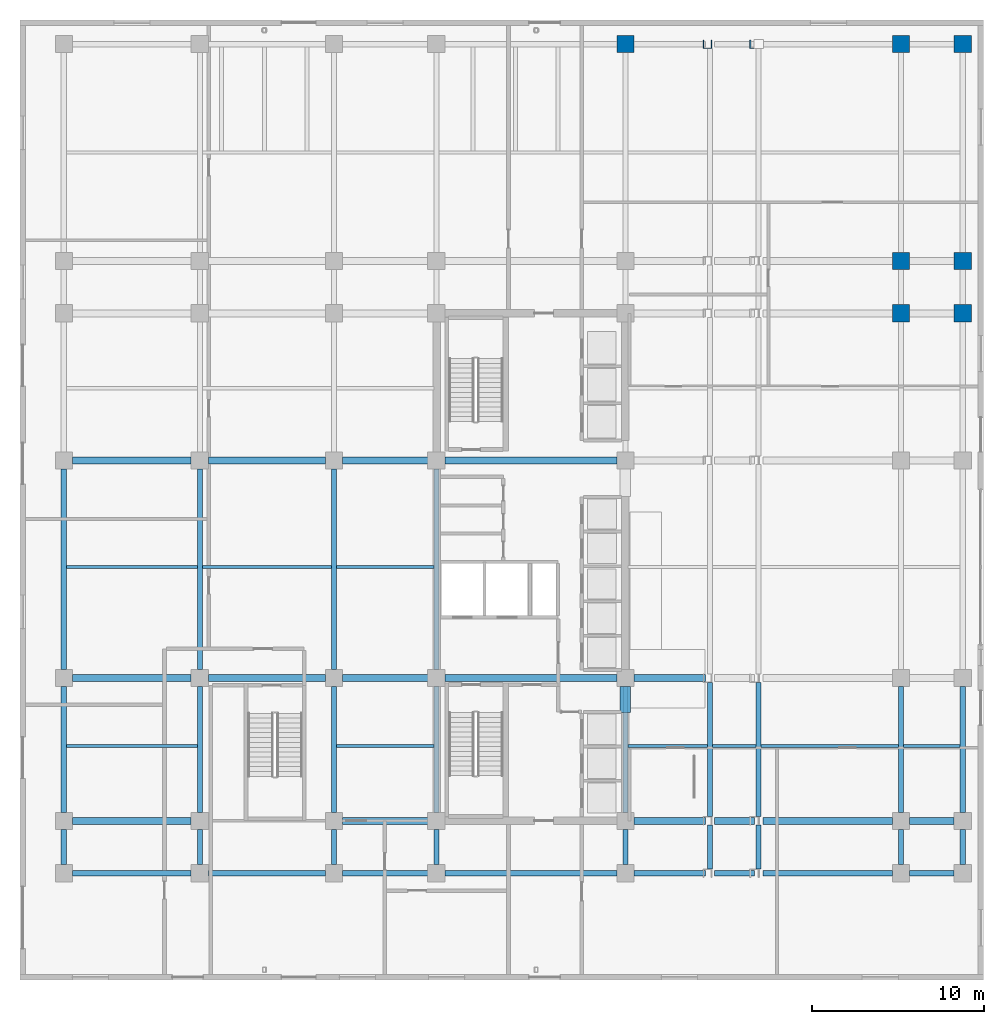
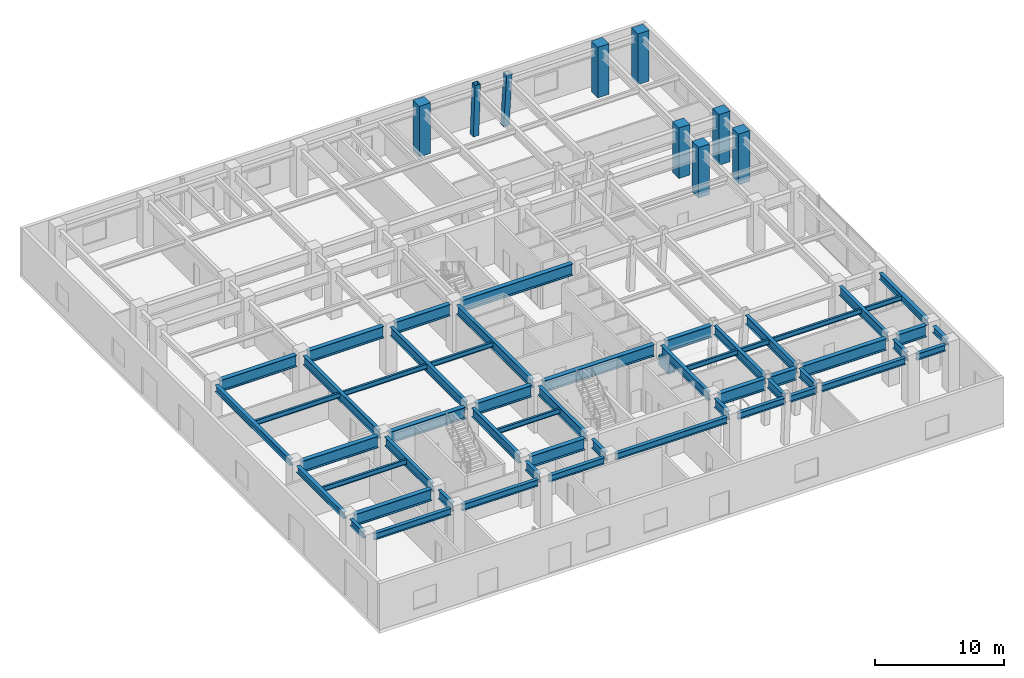
# One storey, part 4 of 13: 55 beams, 9 columns.
"""IFC4 building model written with IfcOpenShell, lengths in metres."""

from ifc_helpers import new_model, si_unit, direction, frame, origin, origin_2d, place, context, subcontext, project, spatial, rectangle, hollow_rectangle, i_section, extrude, material, material_profile, profile_set, type_object, element, save


model = new_model("IFC4")

# Units and contexts
model_context = context("Model", 3, precision=1e-05, world=origin(), true_north=direction((0.0, 1.0)))
body_context = subcontext(model_context, "Body", "Model", "MODEL_VIEW")
ifc_project = project(units=[si_unit("LENGTHUNIT", "METRE"), si_unit("AREAUNIT", "SQUARE_METRE"), si_unit("VOLUMEUNIT", "CUBIC_METRE"), si_unit("PLANEANGLEUNIT", "RADIAN"), si_unit("MASSUNIT", "GRAM", prefix="KILO")], contexts=[model_context])

# Site, building, storey
site_placement = place(None, origin())
site = spatial("IfcSite", under=ifc_project, at=site_placement, CompositionType="ELEMENT")
building_placement = place(site_placement, origin())
building = spatial("IfcBuilding", under=site, at=building_placement, Name="Ochreholt Gables", CompositionType="ELEMENT")
storey_placement = place(building_placement, origin())
storey = spatial("IfcBuildingStorey", under=building, at=storey_placement, Name="L00", CompositionType="ELEMENT", Elevation=0.0)

# Columns
ifc_material_1 = material(Name="Steel CSA G40.21 350W", Category="steel")
ifc_material_profile_1 = material_profile(ifc_material_1, hollow_rectangle(XDim=0.5, YDim=0.5, WallThickness=0.02197265625, at=origin_2d()), Name="HSS500X500X22")
ifc_profile_set_1 = profile_set([ifc_material_profile_1], Name="Steel CSA G40.21 350W")
column_type_1 = type_object("IfcColumnType", Name="COL-HSS500-RAKE", PredefinedType="COLUMN", material=ifc_profile_set_1)
column_1_placement = place(storey_placement, frame((39.93603515625, 54.39990234375, 0.0), z_axis=(0.034971728386, 0.0, 0.99938830202), x_axis=(0.0, 1.0, 0.0)))
element("IfcColumn", 1, at=column_1_placement, inside=storey, type_object=column_type_1, Name="L00 Column EMY7", PredefinedType="COLUMN", context=body_context, shape_type="SweptSolid", body=[
    extrude(hollow_rectangle(XDim=0.5, YDim=0.5, WallThickness=0.02197265625, at=origin_2d()), origin(), (0.0, 0.0, 1.0), 4.802978515625),
])
column_2_placement = place(storey_placement, frame((42.65673828125, 54.39990234375, 0.0), z_axis=(0.057935044615, 0.0, 0.998320354699), x_axis=(0.0, 1.0, 0.0)))
element("IfcColumn", 2, at=column_2_placement, inside=storey, type_object=column_type_1, Name="L00 Column EEY7", PredefinedType="COLUMN", context=body_context, shape_type="SweptSolid", body=[
    extrude(hollow_rectangle(XDim=0.5, YDim=0.5, WallThickness=0.02197265625, at=origin_2d()), origin(), (0.0, 0.0, 1.0), 4.782958984375),
])
ifc_material_2 = material(Name="Concrete 60 MPa", Category="concrete")
ifc_material_profile_2 = material_profile(ifc_material_2, rectangle(XDim=1.0, YDim=1.0, at=origin_2d()), Name="RC1000X1000")
ifc_profile_set_2 = profile_set([ifc_material_profile_2], Name="Concrete 60 MPa")
column_type_2 = type_object("IfcColumnType", Name="COL-RC1000-EXT", PredefinedType="COLUMN", material=ifc_profile_set_2)
for number, where, z_axis, x_axis, name in (
    (3, (35.199951171875, 54.39990234375, 0.0), (0.0, 0.0, 1.0), (1.0, 0.0, 0.0), "L00 Column C2Y7"),
    (4, (51.199951171875, 54.39990234375, 0.0), (0.0, 0.0, 1.0), (1.0, 0.0, 0.0), "L00 Column E3Y7"),
    (5, (54.800048828125, 38.75, 0.0), (0.0, 0.0, 1.0), (1.0, 0.0, 0.0), "L00 Column E4Y5"),
    (6, (54.800048828125, 41.800048828125, 0.0), (0.0, 0.0, 1.0), (1.0, 0.0, 0.0), "L00 Column E4Y6"),
    (7, (54.800048828125, 54.39990234375, 0.0), (0.0, 0.0, 1.0), (1.0, 0.0, 0.0), "L00 Column E4Y7"),
):
    element("IfcColumn", number, at=place(storey_placement, frame(where, z_axis=z_axis, x_axis=x_axis)), inside=storey, type_object=column_type_2, Name=name, PredefinedType="COLUMN", context=body_context, shape_type="SweptSolid", body=[
        extrude(rectangle(XDim=1.0, YDim=1.0, at=origin_2d()), origin(), (0.0, 0.0, 1.0), 4.800048828125),
    ])
ifc_material_profile_3 = material_profile(ifc_material_2, rectangle(XDim=1.0, YDim=1.0, at=origin_2d()), Name="RC1000X1000")
ifc_profile_set_3 = profile_set([ifc_material_profile_3], Name="Concrete 60 MPa")
column_type_3 = type_object("IfcColumnType", Name="COL-RC1000-INT", PredefinedType="COLUMN", material=ifc_profile_set_3)
for number, where, z_axis, x_axis, name in (
    (8, (51.199951171875, 38.75, 0.0), (0.0, 0.0, 1.0), (1.0, 0.0, 0.0), "L00 Column E3Y5"),
    (9, (51.199951171875, 41.800048828125, 0.0), (0.0, 0.0, 1.0), (1.0, 0.0, 0.0), "L00 Column E3Y6"),
):
    element("IfcColumn", number, at=place(storey_placement, frame(where, z_axis=z_axis, x_axis=x_axis)), inside=storey, type_object=column_type_3, Name=name, PredefinedType="COLUMN", context=body_context, shape_type="SweptSolid", body=[
        extrude(rectangle(XDim=1.0, YDim=1.0, at=origin_2d()), origin(), (0.0, 0.0, 1.0), 4.800048828125),
    ])

# Beams
ifc_material_profile_4 = material_profile(ifc_material_2, rectangle(XDim=0.60009765625, YDim=0.949951171875, at=origin_2d()), Name="RCB600X950")
ifc_profile_set_4 = profile_set([ifc_material_profile_4], Name="Concrete 60 MPa")
beam_type_1 = type_object("IfcBeamType", Name="BM-CPL-RC600", PredefinedType="LINTEL", material=ifc_profile_set_4)
beam_1_placement = place(storey_placement, frame((35.175048828125, 15.550048828125, 3.06396484375), z_axis=(0.0, 1.0, 0.0), x_axis=(-1.0, 0.0, 0.0)))
element("IfcBeam", 10, at=beam_1_placement, inside=storey, type_object=beam_type_1, Name="L00 Core Coupling Lintel CPS", PredefinedType="LINTEL", context=body_context, shape_type="SweptSolid", body=[
    extrude(rectangle(XDim=0.60009765625, YDim=0.949951171875, at=origin_2d()), origin(), (0.0, 0.0, 1.0), 1.5),
])
ifc_material_profile_5 = material_profile(ifc_material_1, i_section(OverallWidth=0.39990234375, OverallDepth=1.10009765625, WebThickness=0.02001953125, FlangeThickness=0.035888671875, at=origin_2d()), Name="W1100X390")
ifc_profile_set_5 = profile_set([ifc_material_profile_5], Name="Steel CSA G40.21 350W")
beam_type_2 = type_object("IfcBeamType", Name="BM-G-W1100", PredefinedType="BEAM", material=ifc_profile_set_5)
beam_2_placement = place(storey_placement, frame((3.049560546875, 9.25, 3.840087890625), z_axis=(1.0, 0.0, 0.0), x_axis=(0.0, 1.0, 0.0)))
element("IfcBeam", 11, at=beam_2_placement, inside=storey, type_object=beam_type_2, Name="L00 Beam BG-L00-W1W2-Y2", PredefinedType="BEAM", context=body_context, shape_type="SweptSolid", body=[
    extrude(i_section(OverallWidth=0.39990234375, OverallDepth=1.10009765625, WebThickness=0.02001953125, FlangeThickness=0.035888671875, at=origin_2d()), origin(), (0.0, 0.0, 1.0), 6.90087890625),
])
beam_3_placement = place(storey_placement, frame((18.74951171875, 9.25, 3.840087890625), z_axis=(1.0, 0.0, 0.0), x_axis=(0.0, 1.0, 0.0)))
element("IfcBeam", 12, at=beam_3_placement, inside=storey, type_object=beam_type_2, Name="L00 Beam BG-L00-W3C1-Y2", PredefinedType="BEAM", context=body_context, shape_type="SweptSolid", body=[
    extrude(i_section(OverallWidth=0.39990234375, OverallDepth=1.10009765625, WebThickness=0.02001953125, FlangeThickness=0.035888671875, at=origin_2d()), origin(), (0.0, 0.0, 1.0), 4.950927734375),
])
beam_4_placement = place(storey_placement, frame((35.69970703125, 9.25, 3.840087890625), z_axis=(1.0, 0.0, 0.0), x_axis=(0.0, 1.0, 0.0)))
element("IfcBeam", 13, at=beam_4_placement, inside=storey, type_object=beam_type_2, Name="L00 Beam BG-L00-C2EM-Y2", PredefinedType="BEAM", context=body_context, shape_type="SweptSolid", body=[
    extrude(i_section(OverallWidth=0.39990234375, OverallDepth=1.10009765625, WebThickness=0.02001953125, FlangeThickness=0.035888671875, at=origin_2d()), origin(), (0.0, 0.0, 1.0), 4.15478515625),
])
beam_5_placement = place(storey_placement, frame((40.353515625, 9.25, 3.840087890625), z_axis=(1.0, 0.0, 0.0), x_axis=(0.0, 1.0, 0.0)))
element("IfcBeam", 14, at=beam_5_placement, inside=storey, type_object=beam_type_2, Name="L00 Beam BG-L00-EMEE-Y2", PredefinedType="BEAM", context=body_context, shape_type="SweptSolid", body=[
    extrude(i_section(OverallWidth=0.39990234375, OverallDepth=1.10009765625, WebThickness=0.02001953125, FlangeThickness=0.035888671875, at=origin_2d()), origin(), (0.0, 0.0, 1.0), 2.33203125),
])
beam_6_placement = place(storey_placement, frame((43.184814453125, 9.25, 3.840087890625), z_axis=(1.0, 0.0, 0.0), x_axis=(0.0, 1.0, 0.0)))
element("IfcBeam", 15, at=beam_6_placement, inside=storey, type_object=beam_type_2, Name="L00 Beam BG-L00-EEE3-Y2", PredefinedType="BEAM", context=body_context, shape_type="SweptSolid", body=[
    extrude(i_section(OverallWidth=0.39990234375, OverallDepth=1.10009765625, WebThickness=0.02001953125, FlangeThickness=0.035888671875, at=origin_2d()), origin(), (0.0, 0.0, 1.0), 7.515625),
])
beam_7_placement = place(storey_placement, frame((51.69970703125, 9.25, 3.840087890625), z_axis=(1.0, 0.0, 0.0), x_axis=(0.0, 1.0, 0.0)))
element("IfcBeam", 16, at=beam_7_placement, inside=storey, type_object=beam_type_2, Name="L00 Beam BG-L00-E3E4-Y2", PredefinedType="BEAM", context=body_context, shape_type="SweptSolid", body=[
    extrude(i_section(OverallWidth=0.39990234375, OverallDepth=1.10009765625, WebThickness=0.02001953125, FlangeThickness=0.035888671875, at=origin_2d()), origin(), (0.0, 0.0, 1.0), 2.6005859375),
])
beam_8_placement = place(storey_placement, frame((3.049560546875, 17.550048828125, 3.840087890625), z_axis=(1.0, 0.0, 0.0), x_axis=(0.0, 1.0, 0.0)))
element("IfcBeam", 17, at=beam_8_placement, inside=storey, type_object=beam_type_2, Name="L00 Beam BG-L00-W1W2-Y3", PredefinedType="BEAM", context=body_context, shape_type="SweptSolid", body=[
    extrude(i_section(OverallWidth=0.39990234375, OverallDepth=1.10009765625, WebThickness=0.02001953125, FlangeThickness=0.035888671875, at=origin_2d()), origin(), (0.0, 0.0, 1.0), 6.90087890625),
])
beam_9_placement = place(storey_placement, frame((10.94970703125, 17.550048828125, 3.840087890625), z_axis=(1.0, 0.0, 0.0), x_axis=(0.0, 1.0, 0.0)))
element("IfcBeam", 18, at=beam_9_placement, inside=storey, type_object=beam_type_2, Name="L00 Beam BG-L00-W2W3-Y3", PredefinedType="BEAM", context=body_context, shape_type="SweptSolid", body=[
    extrude(i_section(OverallWidth=0.39990234375, OverallDepth=1.10009765625, WebThickness=0.02001953125, FlangeThickness=0.035888671875, at=origin_2d()), origin(), (0.0, 0.0, 1.0), 6.80078125),
])
beam_10_placement = place(storey_placement, frame((18.74951171875, 17.550048828125, 3.840087890625), z_axis=(1.0, 0.0, 0.0), x_axis=(0.0, 1.0, 0.0)))
element("IfcBeam", 19, at=beam_10_placement, inside=storey, type_object=beam_type_2, Name="L00 Beam BG-L00-W3C1-Y3", PredefinedType="BEAM", context=body_context, shape_type="SweptSolid", body=[
    extrude(i_section(OverallWidth=0.39990234375, OverallDepth=1.10009765625, WebThickness=0.02001953125, FlangeThickness=0.035888671875, at=origin_2d()), origin(), (0.0, 0.0, 1.0), 4.950927734375),
])
beam_11_placement = place(storey_placement, frame((24.69970703125, 17.550048828125, 3.840087890625), z_axis=(1.0, 0.0, 0.0), x_axis=(0.0, 1.0, 0.0)))
element("IfcBeam", 20, at=beam_11_placement, inside=storey, type_object=beam_type_2, Name="L00 Beam BG-L00-C1C2-Y3", PredefinedType="BEAM", context=body_context, shape_type="SweptSolid", body=[
    extrude(i_section(OverallWidth=0.39990234375, OverallDepth=1.10009765625, WebThickness=0.02001953125, FlangeThickness=0.035888671875, at=origin_2d()), origin(), (0.0, 0.0, 1.0), 10.000732421875),
])
beam_12_placement = place(storey_placement, frame((35.69970703125, 17.550048828125, 3.840087890625), z_axis=(1.0, 0.0, 0.0), x_axis=(0.0, 1.0, 0.0)))
element("IfcBeam", 21, at=beam_12_placement, inside=storey, type_object=beam_type_2, Name="L00 Beam BG-L00-C2EM-Y3", PredefinedType="BEAM", context=body_context, shape_type="SweptSolid", body=[
    extrude(i_section(OverallWidth=0.39990234375, OverallDepth=1.10009765625, WebThickness=0.02001953125, FlangeThickness=0.035888671875, at=origin_2d()), origin(), (0.0, 0.0, 1.0), 4.15478515625),
])
beam_13_placement = place(storey_placement, frame((3.049560546875, 30.199951171875, 3.840087890625), z_axis=(1.0, 0.0, 0.0), x_axis=(0.0, 1.0, 0.0)))
element("IfcBeam", 22, at=beam_13_placement, inside=storey, type_object=beam_type_2, Name="L00 Beam BG-L00-W1W2-Y4", PredefinedType="BEAM", context=body_context, shape_type="SweptSolid", body=[
    extrude(i_section(OverallWidth=0.39990234375, OverallDepth=1.10009765625, WebThickness=0.02001953125, FlangeThickness=0.035888671875, at=origin_2d()), origin(), (0.0, 0.0, 1.0), 6.90087890625),
])
beam_14_placement = place(storey_placement, frame((10.94970703125, 30.199951171875, 3.840087890625), z_axis=(1.0, 0.0, 0.0), x_axis=(0.0, 1.0, 0.0)))
element("IfcBeam", 23, at=beam_14_placement, inside=storey, type_object=beam_type_2, Name="L00 Beam BG-L00-W2W3-Y4", PredefinedType="BEAM", context=body_context, shape_type="SweptSolid", body=[
    extrude(i_section(OverallWidth=0.39990234375, OverallDepth=1.10009765625, WebThickness=0.02001953125, FlangeThickness=0.035888671875, at=origin_2d()), origin(), (0.0, 0.0, 1.0), 6.80078125),
])
beam_15_placement = place(storey_placement, frame((18.74951171875, 30.199951171875, 3.840087890625), z_axis=(1.0, 0.0, 0.0), x_axis=(0.0, 1.0, 0.0)))
element("IfcBeam", 24, at=beam_15_placement, inside=storey, type_object=beam_type_2, Name="L00 Beam BG-L00-W3C1-Y4", PredefinedType="BEAM", context=body_context, shape_type="SweptSolid", body=[
    extrude(i_section(OverallWidth=0.39990234375, OverallDepth=1.10009765625, WebThickness=0.02001953125, FlangeThickness=0.035888671875, at=origin_2d()), origin(), (0.0, 0.0, 1.0), 4.950927734375),
])
beam_16_placement = place(storey_placement, frame((24.69970703125, 30.199951171875, 3.840087890625), z_axis=(1.0, 0.0, 0.0), x_axis=(0.0, 1.0, 0.0)))
element("IfcBeam", 25, at=beam_16_placement, inside=storey, type_object=beam_type_2, Name="L00 Beam BG-L00-C1C2-Y4", PredefinedType="BEAM", context=body_context, shape_type="SweptSolid", body=[
    extrude(i_section(OverallWidth=0.39990234375, OverallDepth=1.10009765625, WebThickness=0.02001953125, FlangeThickness=0.035888671875, at=origin_2d()), origin(), (0.0, 0.0, 1.0), 10.000732421875),
])
ifc_material_profile_6 = material_profile(ifc_material_1, i_section(OverallWidth=0.2939453125, OverallDepth=0.85107421875, WebThickness=0.01611328125, FlangeThickness=0.02685546875, at=origin_2d()), Name="W840X226")
ifc_profile_set_6 = profile_set([ifc_material_profile_6], Name="Steel CSA G40.21 350W")
beam_type_3 = type_object("IfcBeamType", Name="BM-G-W840", PredefinedType="BEAM", material=ifc_profile_set_6)
beam_17_placement = place(storey_placement, frame((10.449951171875, 6.69970703125, 3.964599609375), z_axis=(0.0, 1.0, 0.0), x_axis=(-1.0, 0.0, 0.0)))
element("IfcBeam", 26, at=beam_17_placement, inside=storey, type_object=beam_type_3, Name="L00 Beam BG-L00-W2-Y1Y2", PredefinedType="BEAM", context=body_context, shape_type="SweptSolid", body=[
    extrude(i_section(OverallWidth=0.2939453125, OverallDepth=0.85107421875, WebThickness=0.01611328125, FlangeThickness=0.02685546875, at=origin_2d()), origin(), (0.0, 0.0, 1.0), 2.05078125),
])
beam_18_placement = place(storey_placement, frame((10.449951171875, 9.74951171875, 3.964599609375), z_axis=(0.0, 1.0, 0.0), x_axis=(-1.0, 0.0, 0.0)))
element("IfcBeam", 27, at=beam_18_placement, inside=storey, type_object=beam_type_3, Name="L00 Beam BG-L00-W2-Y2Y3", PredefinedType="BEAM", context=body_context, shape_type="SweptSolid", body=[
    extrude(i_section(OverallWidth=0.2939453125, OverallDepth=0.85107421875, WebThickness=0.01611328125, FlangeThickness=0.02685546875, at=origin_2d()), origin(), (0.0, 0.0, 1.0), 7.30078125),
])
beam_19_placement = place(storey_placement, frame((10.449951171875, 18.049560546875, 3.964599609375), z_axis=(0.0, 1.0, 0.0), x_axis=(-1.0, 0.0, 0.0)))
element("IfcBeam", 28, at=beam_19_placement, inside=storey, type_object=beam_type_3, Name="L00 Beam BG-L00-W2-Y3Y4", PredefinedType="BEAM", context=body_context, shape_type="SweptSolid", body=[
    extrude(i_section(OverallWidth=0.2939453125, OverallDepth=0.85107421875, WebThickness=0.01611328125, FlangeThickness=0.02685546875, at=origin_2d()), origin(), (0.0, 0.0, 1.0), 11.65087890625),
])
beam_20_placement = place(storey_placement, frame((18.25, 6.69970703125, 3.964599609375), z_axis=(0.0, 1.0, 0.0), x_axis=(-1.0, 0.0, 0.0)))
element("IfcBeam", 29, at=beam_20_placement, inside=storey, type_object=beam_type_3, Name="L00 Beam BG-L00-W3-Y1Y2", PredefinedType="BEAM", context=body_context, shape_type="SweptSolid", body=[
    extrude(i_section(OverallWidth=0.2939453125, OverallDepth=0.85107421875, WebThickness=0.01611328125, FlangeThickness=0.02685546875, at=origin_2d()), origin(), (0.0, 0.0, 1.0), 2.05078125),
])
beam_21_placement = place(storey_placement, frame((18.25, 9.74951171875, 3.964599609375), z_axis=(0.0, 1.0, 0.0), x_axis=(-1.0, 0.0, 0.0)))
element("IfcBeam", 30, at=beam_21_placement, inside=storey, type_object=beam_type_3, Name="L00 Beam BG-L00-W3-Y2Y3", PredefinedType="BEAM", context=body_context, shape_type="SweptSolid", body=[
    extrude(i_section(OverallWidth=0.2939453125, OverallDepth=0.85107421875, WebThickness=0.01611328125, FlangeThickness=0.02685546875, at=origin_2d()), origin(), (0.0, 0.0, 1.0), 7.30078125),
])
beam_22_placement = place(storey_placement, frame((18.25, 18.049560546875, 3.964599609375), z_axis=(0.0, 1.0, 0.0), x_axis=(-1.0, 0.0, 0.0)))
element("IfcBeam", 31, at=beam_22_placement, inside=storey, type_object=beam_type_3, Name="L00 Beam BG-L00-W3-Y3Y4", PredefinedType="BEAM", context=body_context, shape_type="SweptSolid", body=[
    extrude(i_section(OverallWidth=0.2939453125, OverallDepth=0.85107421875, WebThickness=0.01611328125, FlangeThickness=0.02685546875, at=origin_2d()), origin(), (0.0, 0.0, 1.0), 11.65087890625),
])
beam_23_placement = place(storey_placement, frame((24.199951171875, 6.69970703125, 3.964599609375), z_axis=(0.0, 1.0, 0.0), x_axis=(-1.0, 0.0, 0.0)))
element("IfcBeam", 32, at=beam_23_placement, inside=storey, type_object=beam_type_3, Name="L00 Beam BG-L00-C1-Y1Y2", PredefinedType="BEAM", context=body_context, shape_type="SweptSolid", body=[
    extrude(i_section(OverallWidth=0.2939453125, OverallDepth=0.85107421875, WebThickness=0.01611328125, FlangeThickness=0.02685546875, at=origin_2d()), origin(), (0.0, 0.0, 1.0), 2.05078125),
])
beam_24_placement = place(storey_placement, frame((24.199951171875, 9.74951171875, 3.964599609375), z_axis=(0.0, 1.0, 0.0), x_axis=(-1.0, 0.0, 0.0)))
element("IfcBeam", 33, at=beam_24_placement, inside=storey, type_object=beam_type_3, Name="L00 Beam BG-L00-C1-Y2Y3", PredefinedType="BEAM", context=body_context, shape_type="SweptSolid", body=[
    extrude(i_section(OverallWidth=0.2939453125, OverallDepth=0.85107421875, WebThickness=0.01611328125, FlangeThickness=0.02685546875, at=origin_2d()), origin(), (0.0, 0.0, 1.0), 7.30078125),
])
beam_25_placement = place(storey_placement, frame((24.199951171875, 18.049560546875, 3.964599609375), z_axis=(0.0, 1.0, 0.0), x_axis=(-1.0, 0.0, 0.0)))
element("IfcBeam", 34, at=beam_25_placement, inside=storey, type_object=beam_type_3, Name="L00 Beam BG-L00-C1-Y3Y4", PredefinedType="BEAM", context=body_context, shape_type="SweptSolid", body=[
    extrude(i_section(OverallWidth=0.2939453125, OverallDepth=0.85107421875, WebThickness=0.01611328125, FlangeThickness=0.02685546875, at=origin_2d()), origin(), (0.0, 0.0, 1.0), 11.65087890625),
])
beam_26_placement = place(storey_placement, frame((35.199951171875, 6.69970703125, 3.964599609375), z_axis=(0.0, 1.0, 0.0), x_axis=(-1.0, 0.0, 0.0)))
element("IfcBeam", 35, at=beam_26_placement, inside=storey, type_object=beam_type_3, Name="L00 Beam BG-L00-C2-Y1Y2", PredefinedType="BEAM", context=body_context, shape_type="SweptSolid", body=[
    extrude(i_section(OverallWidth=0.2939453125, OverallDepth=0.85107421875, WebThickness=0.01611328125, FlangeThickness=0.02685546875, at=origin_2d()), origin(), (0.0, 0.0, 1.0), 2.05078125),
])
beam_27_placement = place(storey_placement, frame((35.199951171875, 9.74951171875, 3.964599609375), z_axis=(0.0, 1.0, 0.0), x_axis=(-1.0, 0.0, 0.0)))
element("IfcBeam", 36, at=beam_27_placement, inside=storey, type_object=beam_type_3, Name="L00 Beam BG-L00-C2-Y2Y3", PredefinedType="BEAM", context=body_context, shape_type="SweptSolid", body=[
    extrude(i_section(OverallWidth=0.2939453125, OverallDepth=0.85107421875, WebThickness=0.01611328125, FlangeThickness=0.02685546875, at=origin_2d()), origin(), (0.0, 0.0, 1.0), 7.30078125),
])
beam_28_placement = place(storey_placement, frame((40.10400390625, 6.44970703125, 3.964599609375), z_axis=(0.0, 1.0, 0.0), x_axis=(-1.0, 0.0, 0.0)))
element("IfcBeam", 37, at=beam_28_placement, inside=storey, type_object=beam_type_3, Name="L00 Beam BG-L00-EM-Y1Y2", PredefinedType="BEAM", context=body_context, shape_type="SweptSolid", body=[
    extrude(i_section(OverallWidth=0.2939453125, OverallDepth=0.85107421875, WebThickness=0.01611328125, FlangeThickness=0.02685546875, at=origin_2d()), origin(), (0.0, 0.0, 1.0), 2.55078125),
])
beam_29_placement = place(storey_placement, frame((40.10400390625, 9.49951171875, 3.964599609375), z_axis=(0.0, 1.0, 0.0), x_axis=(-1.0, 0.0, 0.0)))
element("IfcBeam", 38, at=beam_29_placement, inside=storey, type_object=beam_type_3, Name="L00 Beam BG-L00-EM-Y2Y3", PredefinedType="BEAM", context=body_context, shape_type="SweptSolid", body=[
    extrude(i_section(OverallWidth=0.2939453125, OverallDepth=0.85107421875, WebThickness=0.01611328125, FlangeThickness=0.02685546875, at=origin_2d()), origin(), (0.0, 0.0, 1.0), 7.80078125),
])
beam_30_placement = place(storey_placement, frame((42.935302734375, 6.44970703125, 3.964599609375), z_axis=(0.0, 1.0, 0.0), x_axis=(-1.0, 0.0, 0.0)))
element("IfcBeam", 39, at=beam_30_placement, inside=storey, type_object=beam_type_3, Name="L00 Beam BG-L00-EE-Y1Y2", PredefinedType="BEAM", context=body_context, shape_type="SweptSolid", body=[
    extrude(i_section(OverallWidth=0.2939453125, OverallDepth=0.85107421875, WebThickness=0.01611328125, FlangeThickness=0.02685546875, at=origin_2d()), origin(), (0.0, 0.0, 1.0), 2.55078125),
])
beam_31_placement = place(storey_placement, frame((42.935302734375, 9.49951171875, 3.964599609375), z_axis=(0.0, 1.0, 0.0), x_axis=(-1.0, 0.0, 0.0)))
element("IfcBeam", 40, at=beam_31_placement, inside=storey, type_object=beam_type_3, Name="L00 Beam BG-L00-EE-Y2Y3", PredefinedType="BEAM", context=body_context, shape_type="SweptSolid", body=[
    extrude(i_section(OverallWidth=0.2939453125, OverallDepth=0.85107421875, WebThickness=0.01611328125, FlangeThickness=0.02685546875, at=origin_2d()), origin(), (0.0, 0.0, 1.0), 7.80078125),
])
beam_32_placement = place(storey_placement, frame((51.199951171875, 6.69970703125, 3.964599609375), z_axis=(0.0, 1.0, 0.0), x_axis=(-1.0, 0.0, 0.0)))
element("IfcBeam", 41, at=beam_32_placement, inside=storey, type_object=beam_type_3, Name="L00 Beam BG-L00-E3-Y1Y2", PredefinedType="BEAM", context=body_context, shape_type="SweptSolid", body=[
    extrude(i_section(OverallWidth=0.2939453125, OverallDepth=0.85107421875, WebThickness=0.01611328125, FlangeThickness=0.02685546875, at=origin_2d()), origin(), (0.0, 0.0, 1.0), 2.05078125),
])
beam_33_placement = place(storey_placement, frame((51.199951171875, 9.74951171875, 3.964599609375), z_axis=(0.0, 1.0, 0.0), x_axis=(-1.0, 0.0, 0.0)))
element("IfcBeam", 42, at=beam_33_placement, inside=storey, type_object=beam_type_3, Name="L00 Beam BG-L00-E3-Y2Y3", PredefinedType="BEAM", context=body_context, shape_type="SweptSolid", body=[
    extrude(i_section(OverallWidth=0.2939453125, OverallDepth=0.85107421875, WebThickness=0.01611328125, FlangeThickness=0.02685546875, at=origin_2d()), origin(), (0.0, 0.0, 1.0), 7.30078125),
])
ifc_material_profile_7 = material_profile(ifc_material_1, i_section(OverallWidth=0.18994140625, OverallDepth=0.45703125, WebThickness=0.009033203125, FlangeThickness=0.014404296875, at=origin_2d()), Name="W460X74")
ifc_profile_set_7 = profile_set([ifc_material_profile_7], Name="Steel CSA G40.21 350W")
beam_type_4 = type_object("IfcBeamType", Name="BM-J-W460B", PredefinedType="JOIST", material=ifc_profile_set_7)
beam_34_placement = place(storey_placement, frame((2.711669921875, 13.60009765625, 4.16162109375), z_axis=(1.0, 0.0, 0.0), x_axis=(0.0, 1.0, 0.0)))
element("IfcBeam", 43, at=beam_34_placement, inside=storey, type_object=beam_type_4, Name="L00 Beam BJ-L00-J1-W1W2", PredefinedType="JOIST", context=body_context, shape_type="SweptSolid", body=[
    extrude(i_section(OverallWidth=0.18994140625, OverallDepth=0.45703125, WebThickness=0.009033203125, FlangeThickness=0.014404296875, at=origin_2d()), origin(), (0.0, 0.0, 1.0), 7.591796875),
])
beam_35_placement = place(storey_placement, frame((18.396484375, 13.60009765625, 4.16162109375), z_axis=(1.0, 0.0, 0.0), x_axis=(0.0, 1.0, 0.0)))
element("IfcBeam", 44, at=beam_35_placement, inside=storey, type_object=beam_type_4, Name="L00 Beam BJ-L00-J1-W3C1", PredefinedType="JOIST", context=body_context, shape_type="SweptSolid", body=[
    extrude(i_section(OverallWidth=0.18994140625, OverallDepth=0.45703125, WebThickness=0.009033203125, FlangeThickness=0.014404296875, at=origin_2d()), origin(), (0.0, 0.0, 1.0), 5.656982421875),
])
beam_36_placement = place(storey_placement, frame((35.3466796875, 13.60009765625, 4.16162109375), z_axis=(1.0, 0.0, 0.0), x_axis=(0.0, 1.0, 0.0)))
element("IfcBeam", 45, at=beam_36_placement, inside=storey, type_object=beam_type_4, Name="L00 Beam BJ-L00-J1-C2EM", PredefinedType="JOIST", context=body_context, shape_type="SweptSolid", body=[
    extrude(i_section(OverallWidth=0.18994140625, OverallDepth=0.45703125, WebThickness=0.009033203125, FlangeThickness=0.014404296875, at=origin_2d()), origin(), (0.0, 0.0, 1.0), 4.61083984375),
])
beam_37_placement = place(storey_placement, frame((40.25048828125, 13.60009765625, 4.16162109375), z_axis=(1.0, 0.0, 0.0), x_axis=(0.0, 1.0, 0.0)))
element("IfcBeam", 46, at=beam_37_placement, inside=storey, type_object=beam_type_4, Name="L00 Beam BJ-L00-J1-EMEE", PredefinedType="JOIST", context=body_context, shape_type="SweptSolid", body=[
    extrude(i_section(OverallWidth=0.18994140625, OverallDepth=0.45703125, WebThickness=0.009033203125, FlangeThickness=0.014404296875, at=origin_2d()), origin(), (0.0, 0.0, 1.0), 2.5380859375),
])
beam_38_placement = place(storey_placement, frame((43.081787109375, 13.60009765625, 4.16162109375), z_axis=(1.0, 0.0, 0.0), x_axis=(0.0, 1.0, 0.0)))
element("IfcBeam", 47, at=beam_38_placement, inside=storey, type_object=beam_type_4, Name="L00 Beam BJ-L00-J1-EEE3", PredefinedType="JOIST", context=body_context, shape_type="SweptSolid", body=[
    extrude(i_section(OverallWidth=0.18994140625, OverallDepth=0.45703125, WebThickness=0.009033203125, FlangeThickness=0.014404296875, at=origin_2d()), origin(), (0.0, 0.0, 1.0), 7.9716796875),
])
beam_39_placement = place(storey_placement, frame((51.3466796875, 13.60009765625, 4.16162109375), z_axis=(1.0, 0.0, 0.0), x_axis=(0.0, 1.0, 0.0)))
element("IfcBeam", 48, at=beam_39_placement, inside=storey, type_object=beam_type_4, Name="L00 Beam BJ-L00-J1-E3E4", PredefinedType="JOIST", context=body_context, shape_type="SweptSolid", body=[
    extrude(i_section(OverallWidth=0.18994140625, OverallDepth=0.45703125, WebThickness=0.009033203125, FlangeThickness=0.014404296875, at=origin_2d()), origin(), (0.0, 0.0, 1.0), 3.291748046875),
])
beam_40_placement = place(storey_placement, frame((2.711669921875, 24.0, 4.16162109375), z_axis=(1.0, 0.0, 0.0), x_axis=(0.0, 1.0, 0.0)))
element("IfcBeam", 49, at=beam_40_placement, inside=storey, type_object=beam_type_4, Name="L00 Beam BJ-L00-J2-W1W2", PredefinedType="JOIST", context=body_context, shape_type="SweptSolid", body=[
    extrude(i_section(OverallWidth=0.18994140625, OverallDepth=0.45703125, WebThickness=0.009033203125, FlangeThickness=0.014404296875, at=origin_2d()), origin(), (0.0, 0.0, 1.0), 7.591796875),
])
beam_41_placement = place(storey_placement, frame((10.5966796875, 24.0, 4.16162109375), z_axis=(1.0, 0.0, 0.0), x_axis=(0.0, 1.0, 0.0)))
element("IfcBeam", 50, at=beam_41_placement, inside=storey, type_object=beam_type_4, Name="L00 Beam BJ-L00-J2-W2W3", PredefinedType="JOIST", context=body_context, shape_type="SweptSolid", body=[
    extrude(i_section(OverallWidth=0.18994140625, OverallDepth=0.45703125, WebThickness=0.009033203125, FlangeThickness=0.014404296875, at=origin_2d()), origin(), (0.0, 0.0, 1.0), 7.5068359375),
])
beam_42_placement = place(storey_placement, frame((18.396484375, 24.0, 4.16162109375), z_axis=(1.0, 0.0, 0.0), x_axis=(0.0, 1.0, 0.0)))
element("IfcBeam", 51, at=beam_42_placement, inside=storey, type_object=beam_type_4, Name="L00 Beam BJ-L00-J2-W3C1", PredefinedType="JOIST", context=body_context, shape_type="SweptSolid", body=[
    extrude(i_section(OverallWidth=0.18994140625, OverallDepth=0.45703125, WebThickness=0.009033203125, FlangeThickness=0.014404296875, at=origin_2d()), origin(), (0.0, 0.0, 1.0), 5.656982421875),
])
ifc_material_profile_8 = material_profile(ifc_material_1, i_section(OverallWidth=0.323974609375, OverallDepth=0.611083984375, WebThickness=0.0126953125, FlangeThickness=0.01904296875, at=origin_2d()), Name="W610X155")
ifc_profile_set_8 = profile_set([ifc_material_profile_8], Name="Steel CSA G40.21 350W")
beam_type_5 = type_object("IfcBeamType", Name="BM-SP-W610", PredefinedType="SPANDREL", material=ifc_profile_set_8)
beam_43_placement = place(storey_placement, frame((3.049560546875, 6.199951171875, 4.08447265625), z_axis=(1.0, 0.0, 0.0), x_axis=(0.0, 1.0, 0.0)))
element("IfcBeam", 52, at=beam_43_placement, inside=storey, type_object=beam_type_5, Name="L00 Beam BG-L00-W1W2-Y1", PredefinedType="SPANDREL", context=body_context, shape_type="SweptSolid", body=[
    extrude(i_section(OverallWidth=0.323974609375, OverallDepth=0.611083984375, WebThickness=0.0126953125, FlangeThickness=0.01904296875, at=origin_2d()), origin(), (0.0, 0.0, 1.0), 6.90087890625),
])
beam_44_placement = place(storey_placement, frame((10.94970703125, 6.199951171875, 4.08447265625), z_axis=(1.0, 0.0, 0.0), x_axis=(0.0, 1.0, 0.0)))
element("IfcBeam", 53, at=beam_44_placement, inside=storey, type_object=beam_type_5, Name="L00 Beam BG-L00-W2W3-Y1", PredefinedType="SPANDREL", context=body_context, shape_type="SweptSolid", body=[
    extrude(i_section(OverallWidth=0.323974609375, OverallDepth=0.611083984375, WebThickness=0.0126953125, FlangeThickness=0.01904296875, at=origin_2d()), origin(), (0.0, 0.0, 1.0), 6.80078125),
])
beam_45_placement = place(storey_placement, frame((18.74951171875, 6.199951171875, 4.08447265625), z_axis=(1.0, 0.0, 0.0), x_axis=(0.0, 1.0, 0.0)))
element("IfcBeam", 54, at=beam_45_placement, inside=storey, type_object=beam_type_5, Name="L00 Beam BG-L00-W3C1-Y1", PredefinedType="SPANDREL", context=body_context, shape_type="SweptSolid", body=[
    extrude(i_section(OverallWidth=0.323974609375, OverallDepth=0.611083984375, WebThickness=0.0126953125, FlangeThickness=0.01904296875, at=origin_2d()), origin(), (0.0, 0.0, 1.0), 4.950927734375),
])
beam_46_placement = place(storey_placement, frame((24.69970703125, 6.199951171875, 4.08447265625), z_axis=(1.0, 0.0, 0.0), x_axis=(0.0, 1.0, 0.0)))
element("IfcBeam", 55, at=beam_46_placement, inside=storey, type_object=beam_type_5, Name="L00 Beam BG-L00-C1C2-Y1", PredefinedType="SPANDREL", context=body_context, shape_type="SweptSolid", body=[
    extrude(i_section(OverallWidth=0.323974609375, OverallDepth=0.611083984375, WebThickness=0.0126953125, FlangeThickness=0.01904296875, at=origin_2d()), origin(), (0.0, 0.0, 1.0), 10.000732421875),
])
beam_47_placement = place(storey_placement, frame((35.69970703125, 6.199951171875, 4.08447265625), z_axis=(1.0, 0.0, 0.0), x_axis=(0.0, 1.0, 0.0)))
element("IfcBeam", 56, at=beam_47_placement, inside=storey, type_object=beam_type_5, Name="L00 Beam BG-L00-C2EM-Y1", PredefinedType="SPANDREL", context=body_context, shape_type="SweptSolid", body=[
    extrude(i_section(OverallWidth=0.323974609375, OverallDepth=0.611083984375, WebThickness=0.0126953125, FlangeThickness=0.01904296875, at=origin_2d()), origin(), (0.0, 0.0, 1.0), 4.15478515625),
])
beam_48_placement = place(storey_placement, frame((40.353515625, 6.199951171875, 4.08447265625), z_axis=(1.0, 0.0, 0.0), x_axis=(0.0, 1.0, 0.0)))
element("IfcBeam", 57, at=beam_48_placement, inside=storey, type_object=beam_type_5, Name="L00 Beam BG-L00-EMEE-Y1", PredefinedType="SPANDREL", context=body_context, shape_type="SweptSolid", body=[
    extrude(i_section(OverallWidth=0.323974609375, OverallDepth=0.611083984375, WebThickness=0.0126953125, FlangeThickness=0.01904296875, at=origin_2d()), origin(), (0.0, 0.0, 1.0), 2.33203125),
])
beam_49_placement = place(storey_placement, frame((43.184814453125, 6.199951171875, 4.08447265625), z_axis=(1.0, 0.0, 0.0), x_axis=(0.0, 1.0, 0.0)))
element("IfcBeam", 58, at=beam_49_placement, inside=storey, type_object=beam_type_5, Name="L00 Beam BG-L00-EEE3-Y1", PredefinedType="SPANDREL", context=body_context, shape_type="SweptSolid", body=[
    extrude(i_section(OverallWidth=0.323974609375, OverallDepth=0.611083984375, WebThickness=0.0126953125, FlangeThickness=0.01904296875, at=origin_2d()), origin(), (0.0, 0.0, 1.0), 7.515625),
])
beam_50_placement = place(storey_placement, frame((51.69970703125, 6.199951171875, 4.08447265625), z_axis=(1.0, 0.0, 0.0), x_axis=(0.0, 1.0, 0.0)))
element("IfcBeam", 59, at=beam_50_placement, inside=storey, type_object=beam_type_5, Name="L00 Beam BG-L00-E3E4-Y1", PredefinedType="SPANDREL", context=body_context, shape_type="SweptSolid", body=[
    extrude(i_section(OverallWidth=0.323974609375, OverallDepth=0.611083984375, WebThickness=0.0126953125, FlangeThickness=0.01904296875, at=origin_2d()), origin(), (0.0, 0.0, 1.0), 2.6005859375),
])
beam_51_placement = place(storey_placement, frame((2.550048828125, 6.69970703125, 4.08447265625), z_axis=(0.0, 1.0, 0.0), x_axis=(-1.0, 0.0, 0.0)))
element("IfcBeam", 60, at=beam_51_placement, inside=storey, type_object=beam_type_5, Name="L00 Beam BG-L00-W1-Y1Y2", PredefinedType="SPANDREL", context=body_context, shape_type="SweptSolid", body=[
    extrude(i_section(OverallWidth=0.323974609375, OverallDepth=0.611083984375, WebThickness=0.0126953125, FlangeThickness=0.01904296875, at=origin_2d()), origin(), (0.0, 0.0, 1.0), 2.05078125),
])
beam_52_placement = place(storey_placement, frame((2.550048828125, 9.74951171875, 4.08447265625), z_axis=(0.0, 1.0, 0.0), x_axis=(-1.0, 0.0, 0.0)))
element("IfcBeam", 61, at=beam_52_placement, inside=storey, type_object=beam_type_5, Name="L00 Beam BG-L00-W1-Y2Y3", PredefinedType="SPANDREL", context=body_context, shape_type="SweptSolid", body=[
    extrude(i_section(OverallWidth=0.323974609375, OverallDepth=0.611083984375, WebThickness=0.0126953125, FlangeThickness=0.01904296875, at=origin_2d()), origin(), (0.0, 0.0, 1.0), 7.30078125),
])
beam_53_placement = place(storey_placement, frame((2.550048828125, 18.049560546875, 4.08447265625), z_axis=(0.0, 1.0, 0.0), x_axis=(-1.0, 0.0, 0.0)))
element("IfcBeam", 62, at=beam_53_placement, inside=storey, type_object=beam_type_5, Name="L00 Beam BG-L00-W1-Y3Y4", PredefinedType="SPANDREL", context=body_context, shape_type="SweptSolid", body=[
    extrude(i_section(OverallWidth=0.323974609375, OverallDepth=0.611083984375, WebThickness=0.0126953125, FlangeThickness=0.01904296875, at=origin_2d()), origin(), (0.0, 0.0, 1.0), 11.65087890625),
])
beam_54_placement = place(storey_placement, frame((54.800048828125, 6.69970703125, 4.08447265625), z_axis=(0.0, 1.0, 0.0), x_axis=(-1.0, 0.0, 0.0)))
element("IfcBeam", 63, at=beam_54_placement, inside=storey, type_object=beam_type_5, Name="L00 Beam BG-L00-E4-Y1Y2", PredefinedType="SPANDREL", context=body_context, shape_type="SweptSolid", body=[
    extrude(i_section(OverallWidth=0.323974609375, OverallDepth=0.611083984375, WebThickness=0.0126953125, FlangeThickness=0.01904296875, at=origin_2d()), origin(), (0.0, 0.0, 1.0), 2.05078125),
])
beam_55_placement = place(storey_placement, frame((54.800048828125, 9.74951171875, 4.08447265625), z_axis=(0.0, 1.0, 0.0), x_axis=(-1.0, 0.0, 0.0)))
element("IfcBeam", 64, at=beam_55_placement, inside=storey, type_object=beam_type_5, Name="L00 Beam BG-L00-E4-Y2Y3", PredefinedType="SPANDREL", context=body_context, shape_type="SweptSolid", body=[
    extrude(i_section(OverallWidth=0.323974609375, OverallDepth=0.611083984375, WebThickness=0.0126953125, FlangeThickness=0.01904296875, at=origin_2d()), origin(), (0.0, 0.0, 1.0), 7.30078125),
])

save(model, "model.ifc")
